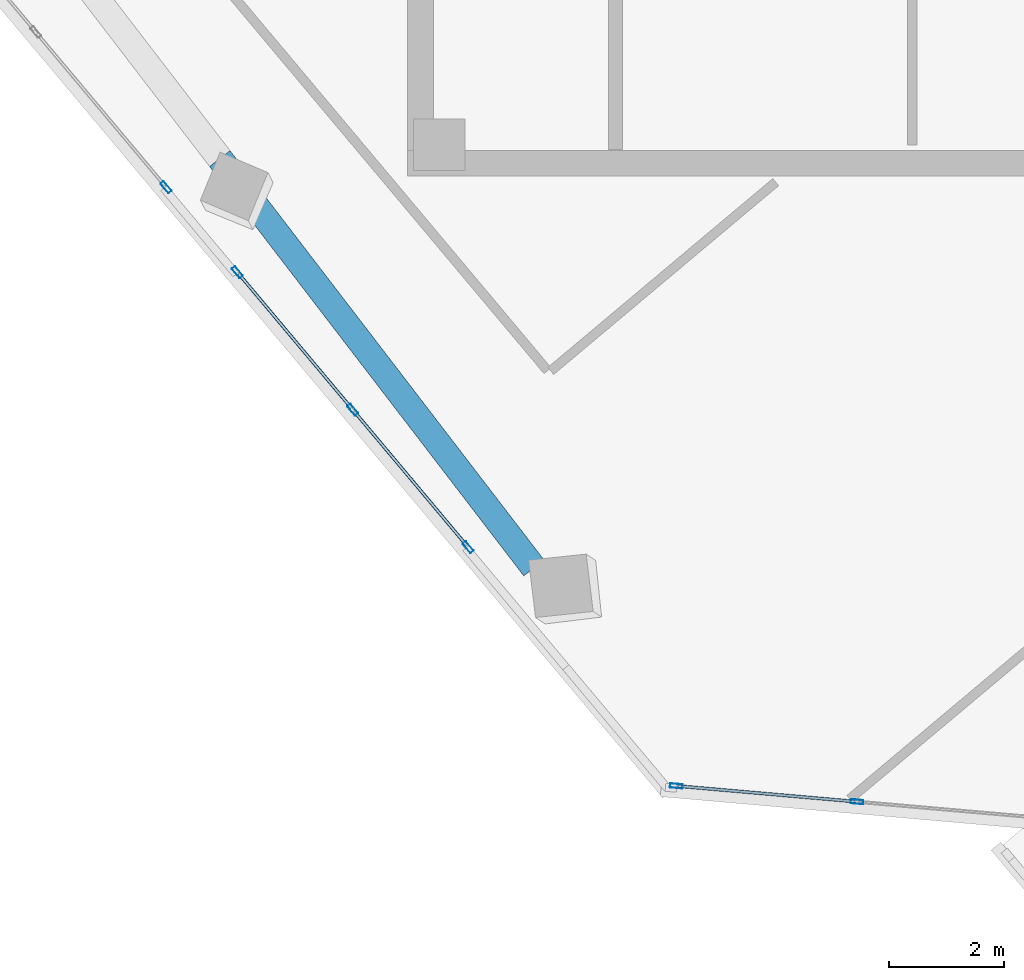
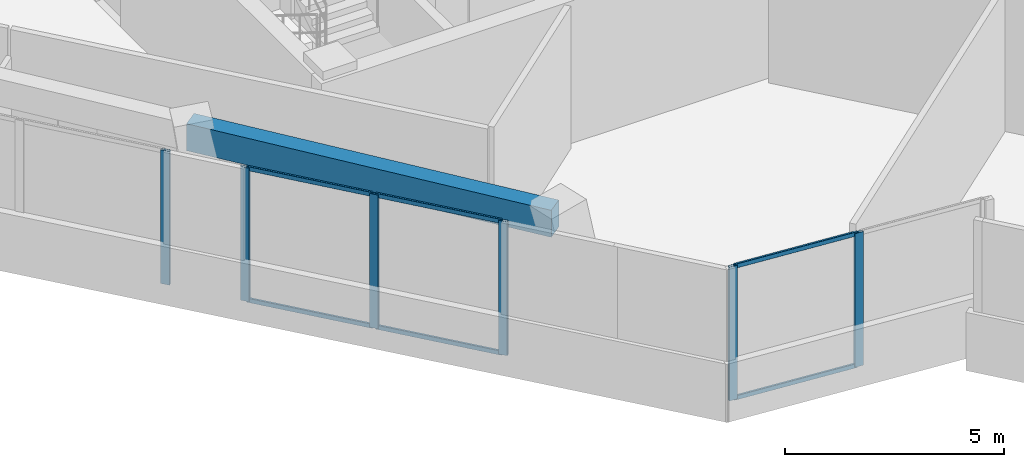
# One storey, part 2 of 17: 12 members, 1 beam, 3 elements without a shape of their own.
"""IFC4 building model written with IfcOpenShell, lengths in metres."""

from ifc_helpers import new_model, si_unit, direction, frame, origin, origin_2d, place, context, subcontext, project, spatial, rectangle, hollow_rectangle, extrude, source, transform, mapped, material, material_profile, profile_set, type_object, element, aggregate, save


model = new_model("IFC4")

# Units and contexts
model_context = context("Model", 3, precision=1e-05, world=origin(), true_north=direction((0.0, 1.0)))
body_context = subcontext(model_context, "Body", "Model", "MODEL_VIEW")
ifc_project = project(units=[si_unit("LENGTHUNIT", "METRE"), si_unit("AREAUNIT", "SQUARE_METRE"), si_unit("VOLUMEUNIT", "CUBIC_METRE"), si_unit("PLANEANGLEUNIT", "RADIAN"), si_unit("MASSUNIT", "GRAM", prefix="KILO")], contexts=[model_context])

# Site, building, storey
site_placement = place(None, origin())
site = spatial("IfcSite", under=ifc_project, at=site_placement, CompositionType="ELEMENT")
building_placement = place(site_placement, origin())
building = spatial("IfcBuilding", under=site, at=building_placement, Name="Torre Montelarca", CompositionType="ELEMENT")
storey_placement = place(building_placement, frame((0.0, 0.0, 275.199951171875)))
storey = spatial("IfcBuildingStorey", under=building, at=storey_placement, Name="L62", CompositionType="ELEMENT", Elevation=275.199951171875)

# Beam
ifc_material_1 = material(Name="Concrete C55/67", Category="concrete")
ifc_material_profile_1 = material_profile(ifc_material_1, rectangle(XDim=0.449951171875, YDim=0.75, at=origin_2d()), Name="RCB450X750", Category="concrete")
ifc_profile_set_1 = profile_set([ifc_material_profile_1], Name="Concrete C55/67")
beam_type = type_object("IfcBeamType", Name="BM-SP-RC750-EXT", PredefinedType="SPANDREL", material=ifc_profile_set_1)
shared_shape_1 = source(origin(), body_context, "Body", "SweptSolid", [
    extrude(rectangle(XDim=0.449951171875, YDim=0.75, at=origin_2d()), origin(), (0.0, 0.0, 1.0), 8.999755859375),
])
beam_placement = place(storey_placement, frame((5.7236328125, 24.305908203125, 3.5849609375), z_axis=(0.608770345828, -0.793346498095, 0.0), x_axis=(0.793346498095, 0.608770345828, 0.0)))
element("IfcBeam", 1, at=beam_placement, inside=storey, type_object=beam_type, Name="L62 Grid Girder X 18.0-27.0 at Y=14.8", PredefinedType="SPANDREL", context=body_context, shape_type="MappedRepresentation", body=[
    mapped(shared_shape_1, transform((0.0, 0.0, 0.0), scale=1.0)),
])

# Curtain wall, members
ifc_material_2 = material(Name="Insulated low-E laminated glass", Category="glass")
curtain_wall_type = type_object("IfcCurtainWallType", Name="CW-SYS-Z3", PredefinedType="USERDEFINED", material=ifc_material_2)
curtain_wall_1_placement = place(storey_placement, origin())
curtain_wall_1 = element("IfcCurtainWall", 2, at=curtain_wall_1_placement, inside=storey, type_object=curtain_wall_type, Name="L62 Curtain Wall Run CW-T3-L62-E02-B1", ObjectType="UNITISED GLAZING", PredefinedType="USERDEFINED")
ifc_material_3 = material(Name="Anodised aluminium AA 6063-T6", Category="aluminium")
ifc_material_profile_2 = material_profile(ifc_material_3, hollow_rectangle(XDim=0.054931640625, YDim=0.1201171875, WallThickness=0.00341796875, InnerFilletRadius=0.00341796875, OuterFilletRadius=0.007080078125, at=origin_2d()), Name="ALU55X120X3.5", Category="aluminium")
ifc_profile_set_2 = profile_set([ifc_material_profile_2], Name="Anodised aluminium AA 6063-T6")
member_type_1 = type_object("IfcMemberType", Name="CWT-ALU120", PredefinedType="USERDEFINED", material=ifc_profile_set_2)
shared_shape_2 = source(origin(), body_context, "Body", "SweptSolid", [
    extrude(hollow_rectangle(XDim=0.054931640625, YDim=0.1201171875, WallThickness=0.00341796875, InnerFilletRadius=0.00341796875, OuterFilletRadius=0.007080078125, at=origin_2d()), origin(), (0.0, 0.0, 1.0), 3.08740234375),
])
member_1_placement = place(storey_placement, frame((13.722900390625, 13.3623046875, 0.027587890625), z_axis=(0.996189081196, -0.087219920349, 0.0), x_axis=(0.087219920349, 0.996189081196, 0.0)))
member_1 = element("IfcMember", 3, at=member_1_placement, type_object=member_type_1, Name="CW transom 1.1", ObjectType="TRANSOM", PredefinedType="USERDEFINED", context=body_context, shape_type="MappedRepresentation", body=[
    mapped(shared_shape_2, transform((0.0, 0.0, 0.0), scale=1.0)),
])
member_2_placement = place(storey_placement, frame((13.722900390625, 13.3623046875, 3.692626953125), z_axis=(0.996189081196, -0.087219920349, 0.0), x_axis=(0.087219920349, 0.996189081196, 0.0)))
member_2 = element("IfcMember", 4, at=member_2_placement, type_object=member_type_1, Name="CW transom 1.2", ObjectType="TRANSOM", PredefinedType="USERDEFINED", context=body_context, shape_type="MappedRepresentation", body=[
    mapped(shared_shape_2, transform((0.0, 0.0, 0.0), scale=1.0)),
])

# Curtain wall, member
curtain_wall_2_placement = place(storey_placement, origin())
curtain_wall_2 = element("IfcCurtainWall", 5, at=curtain_wall_2_placement, inside=storey, type_object=curtain_wall_type, Name="L62 Curtain Wall Run CW-T3-L62-E01-B1", ObjectType="UNITISED GLAZING", PredefinedType="USERDEFINED")
ifc_material_profile_3 = material_profile(ifc_material_3, hollow_rectangle(XDim=0.074951171875, YDim=0.219970703125, WallThickness=0.0048828125, InnerFilletRadius=0.0048828125, OuterFilletRadius=0.010009765625, at=origin_2d()), Name="ALU75X220X5", Category="aluminium")
ifc_profile_set_3 = profile_set([ifc_material_profile_3], Name="Anodised aluminium AA 6063-T6")
member_type_2 = type_object("IfcMemberType", Name="CWM-ALU220", PredefinedType="MULLION", material=ifc_profile_set_3)
shared_shape_3 = source(origin(), body_context, "Body", "SweptSolid", [
    extrude(hollow_rectangle(XDim=0.074951171875, YDim=0.219970703125, WallThickness=0.0048828125, InnerFilletRadius=0.0048828125, OuterFilletRadius=0.010009765625, at=origin_2d()), origin(), (0.0, 0.0, 1.0), 3.719970703125),
])
member_3_placement = place(storey_placement, frame((4.785888671875, 23.80712890625, 0.0), z_axis=(0.0, 0.0, 1.0), x_axis=(0.766041369551, 0.642791272604, 0.0)))
member_3 = element("IfcMember", 6, at=member_3_placement, type_object=member_type_2, Name="CW mullion 3", PredefinedType="MULLION", context=body_context, shape_type="MappedRepresentation", body=[
    mapped(shared_shape_3, transform((0.0, 0.0, 0.0), scale=1.0)),
])
aggregate(curtain_wall_2, [member_3])

# Curtain wall, members
curtain_wall_3_placement = place(storey_placement, origin())
curtain_wall_3 = element("IfcCurtainWall", 7, at=curtain_wall_3_placement, inside=storey, type_object=curtain_wall_type, Name="L62 Curtain Wall Run CW-T3-L62-E01-B2", ObjectType="UNITISED GLAZING", PredefinedType="USERDEFINED")
member_4_placement = place(storey_placement, frame((6.02978515625, 22.32470703125, 0.0), z_axis=(0.0, 0.0, 1.0), x_axis=(0.766040327064, 0.642792514978, 0.0)))
member_4 = element("IfcMember", 8, at=member_4_placement, type_object=member_type_2, Name="CW mullion 1", PredefinedType="MULLION", context=body_context, shape_type="MappedRepresentation", body=[
    mapped(shared_shape_3, transform((0.0, 0.0, 0.0), scale=1.0)),
])
member_5_placement = place(storey_placement, frame((8.04150390625, 19.92724609375, 0.0), z_axis=(0.0, 0.0, 1.0), x_axis=(0.766040327064, 0.642792514978, 0.0)))
member_5 = element("IfcMember", 9, at=member_5_placement, type_object=member_type_2, Name="CW mullion 2", PredefinedType="MULLION", context=body_context, shape_type="MappedRepresentation", body=[
    mapped(shared_shape_3, transform((0.0, 0.0, 0.0), scale=1.0)),
])
member_6_placement = place(storey_placement, frame((10.05322265625, 17.52978515625, 0.0), z_axis=(0.0, 0.0, 1.0), x_axis=(0.766040327064, 0.642792514978, 0.0)))
member_6 = element("IfcMember", 10, at=member_6_placement, type_object=member_type_2, Name="CW mullion 3", PredefinedType="MULLION", context=body_context, shape_type="MappedRepresentation", body=[
    mapped(shared_shape_3, transform((0.0, 0.0, 0.0), scale=1.0)),
])

# Member
member_7_placement = place(storey_placement, frame((13.685546875, 13.365478515625, 0.0), z_axis=(0.0, 0.0, 1.0), x_axis=(0.087173734413, 0.996193123861, 0.0)))
member_7 = element("IfcMember", 11, at=member_7_placement, type_object=member_type_2, Name="CW mullion 1", PredefinedType="MULLION", context=body_context, shape_type="MappedRepresentation", body=[
    mapped(shared_shape_3, transform((0.0, 0.0, 0.0), scale=1.0)),
])

member_8_placement = place(storey_placement, frame((16.8359375, 13.08984375, 0.0), z_axis=(0.0, 0.0, 1.0), x_axis=(0.087173734413, 0.996193123861, 0.0)))
member_8 = element("IfcMember", 12, at=member_8_placement, type_object=member_type_2, Name="CW mullion 2", PredefinedType="MULLION", context=body_context, shape_type="MappedRepresentation", body=[
    mapped(shared_shape_3, transform((0.0, 0.0, 0.0), scale=1.0)),
])

aggregate(curtain_wall_1, [member_7, member_8, member_1, member_2])

shared_shape_4 = source(origin(), body_context, "Body", "SweptSolid", [
    extrude(hollow_rectangle(XDim=0.054931640625, YDim=0.1201171875, WallThickness=0.00341796875, InnerFilletRadius=0.00341796875, OuterFilletRadius=0.007080078125, at=origin_2d()), origin(), (0.0, 0.0, 1.0), 3.0546875),
])
member_9_placement = place(storey_placement, frame((6.0537109375, 22.296142578125, 0.027587890625), z_axis=(0.642798398069, -0.766035390462, 0.0), x_axis=(0.766035390462, 0.642798398069, 0.0)))
member_9 = element("IfcMember", 13, at=member_9_placement, type_object=member_type_1, Name="CW transom 1.1", ObjectType="TRANSOM", PredefinedType="USERDEFINED", context=body_context, shape_type="MappedRepresentation", body=[
    mapped(shared_shape_4, transform((0.0, 0.0, 0.0), scale=1.0)),
])

member_10_placement = place(storey_placement, frame((6.0537109375, 22.296142578125, 3.692626953125), z_axis=(0.642798398069, -0.766035390462, 0.0), x_axis=(0.766035390462, 0.642798398069, 0.0)))
member_10 = element("IfcMember", 14, at=member_10_placement, type_object=member_type_1, Name="CW transom 1.2", ObjectType="TRANSOM", PredefinedType="USERDEFINED", context=body_context, shape_type="MappedRepresentation", body=[
    mapped(shared_shape_4, transform((0.0, 0.0, 0.0), scale=1.0)),
])

member_11_placement = place(storey_placement, frame((8.065673828125, 19.898681640625, 0.027587890625), z_axis=(0.642751496448, -0.766074744274, 0.0), x_axis=(0.766074744274, 0.642751496448, 0.0)))
member_11 = element("IfcMember", 15, at=member_11_placement, type_object=member_type_1, Name="CW transom 2.1", ObjectType="TRANSOM", PredefinedType="USERDEFINED", context=body_context, shape_type="MappedRepresentation", body=[
    mapped(shared_shape_4, transform((0.0, 0.0, 0.0), scale=1.0)),
])

member_12_placement = place(storey_placement, frame((8.065673828125, 19.898681640625, 3.692626953125), z_axis=(0.642751496448, -0.766074744274, 0.0), x_axis=(0.766074744274, 0.642751496448, 0.0)))
member_12 = element("IfcMember", 16, at=member_12_placement, type_object=member_type_1, Name="CW transom 2.2", ObjectType="TRANSOM", PredefinedType="USERDEFINED", context=body_context, shape_type="MappedRepresentation", body=[
    mapped(shared_shape_4, transform((0.0, 0.0, 0.0), scale=1.0)),
])

aggregate(curtain_wall_3, [member_4, member_5, member_6, member_9, member_10, member_11, member_12])

save(model, "model.ifc")
